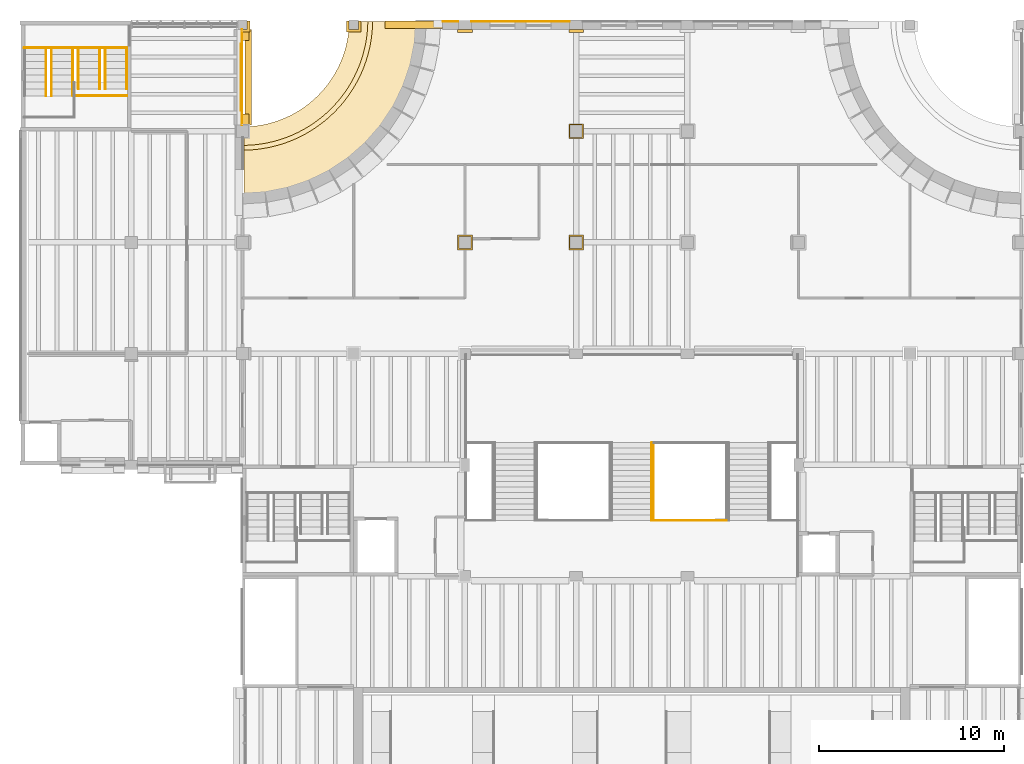
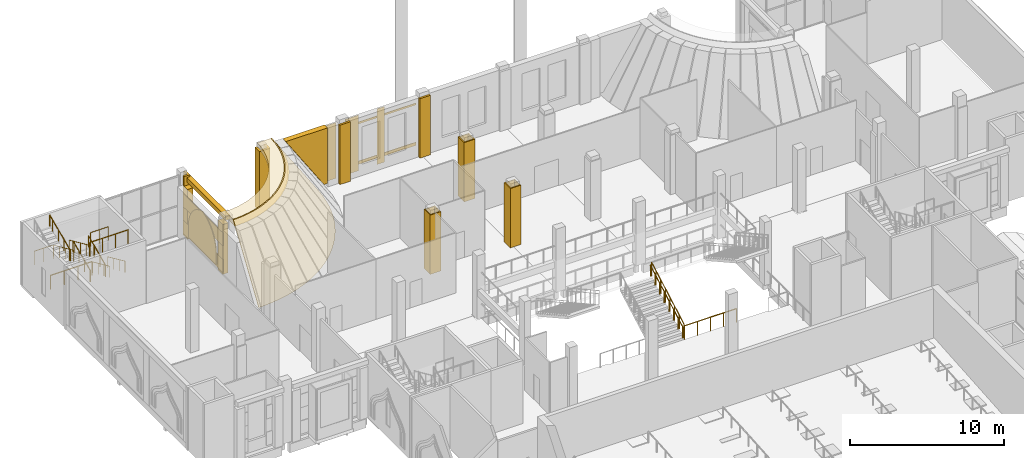
# One storey, part 76 of 80: 21 coverings, 14 railings.
"""IFC4 building model written with IfcOpenShell, lengths in metres."""

import ifcopenshell
import ifcopenshell.guid

model = None  # the IFC model being written
_history = None  # IfcOwnerHistory: only IFC2X3 demands one
_inside = {}  # id of a spatial element -> (the spatial element, [elements in it])
_under = {}  # id of a project, library or spatial element -> (it, [spatial elements below it])
_declared = {}  # id of a project -> (the project, [libraries it declares])
_typed = {}  # id of a type object -> (the type object, [elements of that type])
_made_of = {}  # id of a material, layer set ... -> (it, [elements and type objects made of it])


def new_model(schema):
    """Start an empty IFC model of exactly this schema.

    Asked for "IFC4X3", IfcOpenShell would pick the latest addendum, in which some entities
    have other attributes; the version numbers below select the first issue.
    IFC2X3 requires an IfcOwnerHistory on every rooted entity: one is made here for all.
    """
    global model, _history
    if schema == "IFC4X3":
        model = ifcopenshell.file(schema_version=(4, 3, 0, 0))
    else:
        model = ifcopenshell.file(schema=schema)
    _inside.clear()
    _under.clear()
    _declared.clear()
    _typed.clear()
    _made_of.clear()
    _history = None
    if model.schema == "IFC2X3":
        org = make("IfcOrganization", Name="unknown")
        user = make(
            "IfcPersonAndOrganization",
            ThePerson=make("IfcPerson", FamilyName="unknown"),
            TheOrganization=org,
        )
        app = make(
            "IfcApplication",
            ApplicationDeveloper=org,
            Version="unknown",
            ApplicationFullName="unknown",
            ApplicationIdentifier="unknown",
        )
        _history = make(
            "IfcOwnerHistory",
            OwningUser=user,
            OwningApplication=app,
            ChangeAction="ADDED",
            CreationDate=0,
        )
    return model


def make(cls, **values):
    """One entity of the class cls with the attributes given. An attribute that is None is left unset."""
    return model.create_entity(
        cls, **{name: value for name, value in values.items() if value is not None}
    )


def entity(cls, *values):
    """Any entity or typed value of the class cls, its attributes in the order of the schema. None: left unset."""
    e = model.create_entity(cls)
    for i, value in enumerate(values):
        if value is not None:
            e[i] = value
    return e


def rooted(cls, **values):
    """An entity with a GlobalId (a new one), such as an element, a storey or a relation."""
    return make(cls, GlobalId=ifcopenshell.guid.new(), OwnerHistory=_history, **values)


def si_unit(unit_type, name, prefix=None):
    """IfcSIUnit, for example si_unit("LENGTHUNIT", "METRE", prefix="MILLI")."""
    return make("IfcSIUnit", UnitType=unit_type, Prefix=prefix, Name=name)


def assignment(units):
    """IfcUnitAssignment: the units of a project."""
    return None if units is None else make("IfcUnitAssignment", Units=units)


def point(xyz):
    """IfcCartesianPoint."""
    return None if xyz is None else make("IfcCartesianPoint", Coordinates=xyz)


def direction(xyz):
    """IfcDirection."""
    return None if xyz is None else make("IfcDirection", DirectionRatios=xyz)


def frame(location, z_axis=None, x_axis=None):
    """IfcAxis2Placement3D, a coordinate frame: its origin and axes. An axis left out is left unset."""
    return make(
        "IfcAxis2Placement3D",
        Location=point(location),
        Axis=direction(z_axis),
        RefDirection=direction(x_axis),
    )


def frame_2d(location, x_axis=None):
    """IfcAxis2Placement2D, a coordinate frame in the plane: its origin and x axis."""
    return make(
        "IfcAxis2Placement2D", Location=point(location), RefDirection=direction(x_axis)
    )


def origin():
    """The frame at (0, 0, 0) with its axes left unset."""
    return frame((0.0, 0.0, 0.0))


def origin_2d():
    """The frame at (0, 0) in the plane with its x axis left unset."""
    return frame_2d((0.0, 0.0))


def place(relative_to, where):
    """IfcLocalPlacement: puts the frame where relative to a parent placement (None: the world)."""
    return make(
        "IfcLocalPlacement", PlacementRelTo=relative_to, RelativePlacement=where
    )


def context(
    kind, dimensions, precision=None, world=None, true_north=None, identifier=None
):
    """IfcGeometricRepresentationContext, for example the 3D "Model" context."""
    return make(
        "IfcGeometricRepresentationContext",
        ContextIdentifier=identifier,
        ContextType=kind,
        CoordinateSpaceDimension=dimensions,
        Precision=precision,
        WorldCoordinateSystem=world,
        TrueNorth=true_north,
    )


def subcontext(parent, identifier, kind, view, scale=None):
    """IfcGeometricRepresentationSubContext, for example "Body" below "Model"."""
    return make(
        "IfcGeometricRepresentationSubContext",
        ContextIdentifier=identifier,
        ContextType=kind,
        ParentContext=parent,
        TargetScale=scale,
        TargetView=view,
    )


def project(units=None, contexts=None):
    """IfcProject with its units and contexts."""
    return rooted(
        "IfcProject",
        Name="project",
        RepresentationContexts=contexts,
        UnitsInContext=assignment(units),
    )


def spatial(cls, under=None, at=None, **own):
    """A site, building, storey or space (cls), placed at a placement, below another one or the project."""
    s = rooted(cls, ObjectPlacement=at, **own)
    if under is not None:
        _under.setdefault(under.id(), (under, []))[1].append(s)
    return s


def polyline(points):
    """IfcPolyline through the points."""
    return make("IfcPolyline", Points=[point(p) for p in points])


def profile(cls, at=None, kind="AREA", **sizes):
    """A parametric profile (cls). Its sizes go by their IFC names, for example OverallWidth=200.0."""
    return make(cls, ProfileType=kind, Position=at, **sizes)


def rectangle(**sizes):
    """IfcRectangleProfileDef."""
    return profile("IfcRectangleProfileDef", **sizes)


def circle(**sizes):
    """IfcCircleProfileDef."""
    return profile("IfcCircleProfileDef", **sizes)


def outline(outer, holes=None, kind="AREA"):
    """IfcArbitraryClosedProfileDef: a profile drawn as a closed curve; with holes, ...WithVoids."""
    if holes is None:
        return make("IfcArbitraryClosedProfileDef", ProfileType=kind, OuterCurve=outer)
    return make(
        "IfcArbitraryProfileDefWithVoids",
        ProfileType=kind,
        OuterCurve=outer,
        InnerCurves=holes,
    )


def extrude(swept, where, along, depth):
    """IfcExtrudedAreaSolid: the profile swept, set in the frame where, extruded along a direction by depth."""
    return make(
        "IfcExtrudedAreaSolid",
        SweptArea=swept,
        Position=where,
        ExtrudedDirection=direction(along),
        Depth=depth,
    )


def shape(context_of_items, identifier, shape_type, items):
    """IfcShapeRepresentation: the items that make up one representation, for example the "Body"."""
    return make(
        "IfcShapeRepresentation",
        ContextOfItems=context_of_items,
        RepresentationIdentifier=identifier,
        RepresentationType=shape_type,
        Items=items,
    )


def material(Name=None, Category=None):
    """IfcMaterial."""
    return make("IfcMaterial", Name=Name, Category=Category)


def layer(
    of_material, thickness, ventilated=None, Name=None, Category=None, Priority=None
):
    """IfcMaterialLayer: one layer of a wall or slab, of a material (None: an air gap)."""
    return make(
        "IfcMaterialLayer",
        Material=of_material,
        LayerThickness=thickness,
        IsVentilated=ventilated,
        Name=Name,
        Category=Category,
        Priority=Priority,
    )


def layer_set(layers, Name=None):
    """IfcMaterialLayerSet."""
    return make("IfcMaterialLayerSet", MaterialLayers=layers, LayerSetName=Name)


def made_of(thing, what):
    """Note that an element or type object is made of a material, layer set ...; save() writes the relation."""
    if what is not None:
        _made_of.setdefault(what.id(), (what, []))[1].append(thing)
    return thing


def type_object(cls, material=None, **own):
    """A type object (cls), such as IfcWallType, which elements share."""
    return made_of(rooted(cls, **own), material)


def element(
    cls,
    number,
    at=None,
    inside=None,
    cuts=None,
    type_object=None,
    material=None,
    context=None,
    identifier="Body",
    shape_type=None,
    held_by="IfcProductDefinitionShape",
    body=None,
    shapes=None,
    **own,
):
    """One element of the class cls, such as IfcWall. Its Tag is "e" and its number.

    at: its placement. inside: the storey or other place that contains it. cuts: it is an
    opening in that element (IfcRelVoidsElement). A single representation is given by context,
    identifier, shape_type and body (its items); several are given by shapes. held_by: the class
    of the entity that holds the representations. save() writes the other relations.
    """
    e = rooted(cls, Tag="e%d" % number, ObjectPlacement=at, **own)
    if body is not None:
        shapes = [shape(context, identifier, shape_type, body)]
    if shapes is not None:
        e.Representation = make(held_by, Representations=shapes)
    if inside is not None:
        _inside.setdefault(inside.id(), (inside, []))[1].append(e)
    if cuts is not None:
        rooted(
            "IfcRelVoidsElement", RelatingBuildingElement=cuts, RelatedOpeningElement=e
        )
    if type_object is not None:
        _typed.setdefault(type_object.id(), (type_object, []))[1].append(e)
    return made_of(e, material)


def aggregate(whole, parts):
    """IfcRelAggregates: a whole, such as a stair, and the parts it consists of."""
    return rooted("IfcRelAggregates", RelatingObject=whole, RelatedObjects=parts)


def save(model, path):
    """Write the relations noted so far, then the file.

    IfcRelAggregates (storeys below a building ...), IfcRelContainedInSpatialStructure (elements
    in a storey), IfcRelDefinesByType, IfcRelAssociatesMaterial and IfcRelDeclares: one each for
    every whole, place, type object, material and project.
    """
    for whole, parts in _under.values():
        aggregate(whole, parts)
    for where, things in _inside.values():
        rooted(
            "IfcRelContainedInSpatialStructure",
            RelatedElements=things,
            RelatingStructure=where,
        )
    for kind, things in _typed.values():
        rooted("IfcRelDefinesByType", RelatedObjects=things, RelatingType=kind)
    for what, things in _made_of.values():
        rooted("IfcRelAssociatesMaterial", RelatedObjects=things, RelatingMaterial=what)
    for by, libraries in _declared.values():
        rooted("IfcRelDeclares", RelatingContext=by, RelatedDefinitions=libraries)
    model.write(path)


model = new_model("IFC4")

# Units and contexts
model_context = context("Model", 3, precision=1e-05, world=origin(), true_north=direction((0.0, 1.0)))
body_context = subcontext(model_context, "Body", "Model", "MODEL_VIEW")
ifc_project = project(units=[si_unit("LENGTHUNIT", "METRE"), si_unit("AREAUNIT", "SQUARE_METRE"), si_unit("VOLUMEUNIT", "CUBIC_METRE"), si_unit("PLANEANGLEUNIT", "RADIAN"), si_unit("MASSUNIT", "GRAM", prefix="KILO")], contexts=[model_context])

# Site, building, storey
site_placement = place(None, origin())
site = spatial("IfcSite", under=ifc_project, at=site_placement, CompositionType="ELEMENT")
building_placement = place(site_placement, origin())
building = spatial("IfcBuilding", under=site, at=building_placement, Name="Saffron Lane Theatres", CompositionType="ELEMENT")
storey_placement = place(building_placement, frame((0.0, 0.0, 7.0)))
storey = spatial("IfcBuildingStorey", under=building, at=storey_placement, Name="L01", CompositionType="ELEMENT", Elevation=7.0)

# Coverings
ifc_material_1 = material(Name="Masonry pale clay brick", Category="masonry")
ifc_layer_1 = layer(ifc_material_1, 0.050048828125)
ifc_layer_set_1 = layer_set([ifc_layer_1], Name="Masonry pale clay brick")
covering_type_1 = type_object("IfcCoveringType", Name="EX-ARCH PANEL BRICK 50", PredefinedType="CLADDING", material=ifc_layer_set_1)
covering_1_placement = place(storey_placement, frame((11.89990234375, 124.7119140625, 1.199951171875), z_axis=(-1.0, 0.0, 0.0), x_axis=(0.0, 0.0, -1.0)))
element("IfcCovering", 1, at=covering_1_placement, inside=storey, type_object=covering_type_1, Name="Blind arch panel 1", PredefinedType="CLADDING", context=body_context, shape_type="SweptSolid", body=[
    extrude(outline(polyline([(0.0, 0.0), (0.89990234375, 0.0), (0.89990234375, 3.599853515625), (0.0, 3.599853515625), (-0.31005859375, 3.578857421875), (-0.614990234375, 3.515869140625), (-0.907958984375, 3.412841796875), (-1.18505859375, 3.27197265625), (-1.441162109375, 3.093994140625), (-1.670166015625, 2.884033203125), (-1.869140625, 2.64501953125), (-2.033935546875, 2.380859375), (-2.1611328125, 2.097900390625), (-2.25, 1.7998046875), (-2.1611328125, 1.501953125), (-2.033935546875, 1.218017578125), (-1.869140625, 0.953857421875), (-1.670166015625, 0.71484375), (-1.441162109375, 0.5048828125), (-1.18505859375, 0.327880859375), (-0.907958984375, 0.18603515625), (-0.614990234375, 0.0830078125), (-0.31005859375, 0.02099609375), (0.0, 0.0)])), origin(), (0.0, 0.0, -1.0), 0.050048828125),
])
ifc_material_2 = material(Name="Masonry pale clay brick", Category="masonry")
ifc_layer_2 = layer(ifc_material_2, 0.39990234375)
ifc_layer_set_2 = layer_set([ifc_layer_2], Name="Masonry pale clay brick")
covering_type_2 = type_object("IfcCoveringType", Name="EX-END INFILL CLADDING BRICK 400", PredefinedType="CLADDING", material=ifc_layer_set_2)
covering_2_placement = place(storey_placement, frame((22.7978515625, 125.93994140625, 4.64990234375), z_axis=(0.0, 1.0, 0.0), x_axis=(0.0, 0.0, -1.0)))
element("IfcCovering", 2, at=covering_2_placement, inside=storey, type_object=covering_type_2, Name="Wall end infill L01 07", PredefinedType="CLADDING", context=body_context, shape_type="SweptSolid", body=[
    extrude(outline(polyline([(0.0, 0.0), (4.39990234375, 0.0), (4.39990234375, 0.253662109375), (0.0, 3.115966796875), (0.0, 0.0)])), origin(), (0.0, 0.0, -1.0), 0.39990234375),
])
ifc_material_3 = material(Name="Face brick cladding, pale buff", Category="masonry")
ifc_layer_3 = layer(ifc_material_3, 0.0400390625)
ifc_layer_set_3 = layer_set([ifc_layer_3], Name="Face brick cladding, pale buff")
covering_type_3 = type_object("IfcCoveringType", Name="EX-FACE BRICK CLADDING PALE BUFF 40", PredefinedType="CLADDING", material=ifc_layer_set_3)
for number, where, z_axis, x_axis, name in (
    (3, (11.969970703125, 122.912109375, 0.14990234375), (0.0, 0.0, 1.0), (0.0, -1.0, 0.0), "Cladding course L01"),
    (4, (11.969970703125, 122.912109375, 2.25), (0.0, 0.0, 1.0), (0.0, -1.0, 0.0), "Cladding course L01"),
):
    element("IfcCovering", number, at=place(storey_placement, frame(where, z_axis=z_axis, x_axis=x_axis)), inside=storey, type_object=covering_type_3, Name=name, PredefinedType="CLADDING", context=body_context, shape_type="SweptSolid", body=[
        extrude(rectangle(XDim=5.175048828125, YDim=0.0400390625, at=origin_2d()), origin(), (0.0, 0.0, 1.0), 1.050048828125),
    ])
covering_3_placement = place(storey_placement, frame((23.22412109375, 125.919921875, 0.150146484375), z_axis=(0.0, 0.0, 1.0), x_axis=(1.0, 0.0, 0.0)))
element("IfcCovering", 5, at=covering_3_placement, inside=storey, type_object=covering_type_3, Name="Cladding course L01", PredefinedType="CLADDING", context=body_context, shape_type="SweptSolid", body=[
    extrude(rectangle(XDim=0.85205078125, YDim=0.0400390625, at=origin_2d()), origin(), (0.0, 0.0, 1.0), 4.39990234375),
])
covering_4_placement = place(storey_placement, frame((24.840087890625, 125.919921875, 0.150146484375), z_axis=(0.0, 0.0, 1.0), x_axis=(1.0, 0.0, 0.0)))
element("IfcCovering", 6, at=covering_4_placement, inside=storey, type_object=covering_type_3, Name="Cladding course L01", PredefinedType="CLADDING", context=body_context, shape_type="SweptSolid", body=[
    extrude(rectangle(XDim=0.97998046875, YDim=0.0400390625, at=origin_2d()), origin(), (0.0, 0.0, 1.0), 4.39990234375),
])
covering_5_placement = place(storey_placement, frame((27.0, 125.919921875, 0.150146484375), z_axis=(0.0, 0.0, 1.0), x_axis=(1.0, 0.0, 0.0)))
element("IfcCovering", 7, at=covering_5_placement, inside=storey, type_object=covering_type_3, Name="Cladding course L01", PredefinedType="CLADDING", context=body_context, shape_type="SweptSolid", body=[
    extrude(rectangle(XDim=0.56005859375, YDim=0.0400390625, at=origin_2d()), origin(), (0.0, 0.0, 1.0), 4.39990234375),
])
ifc_material_4 = material(Name="Masonry sandstone", Category="masonry")
ifc_layer_4 = layer(ifc_material_4, 0.0400390625)
ifc_layer_set_4 = layer_set([ifc_layer_4], Name="Masonry sandstone")
covering_type_4 = type_object("IfcCoveringType", Name="EX-HEAD COURSE SANDSTONE 150", PredefinedType="CLADDING", material=ifc_layer_set_4)
covering_6_placement = place(storey_placement, frame((27.0, 125.919921875, 3.85009765625), z_axis=(0.0, 0.0, 1.0), x_axis=(1.0, 0.0, 0.0)))
element("IfcCovering", 8, at=covering_6_placement, inside=storey, type_object=covering_type_4, Name="Facade head course L01", PredefinedType="CLADDING", context=body_context, shape_type="SweptSolid", body=[
    extrude(rectangle(XDim=5.2998046875, YDim=0.0400390625, at=origin_2d()), origin(), (0.0, 0.0, 1.0), 0.14990234375),
])
ifc_material_5 = material(Name="Face brick cladding, pale buff", Category="masonry")
ifc_layer_5 = layer(ifc_material_5, 0.10009765625)
ifc_layer_set_5 = layer_set([ifc_layer_5], Name="Face brick cladding, pale buff")
covering_type_5 = type_object("IfcCoveringType", Name="EX-PIER CASING FACE BRICK PALE BUFF 800", PredefinedType="CLADDING", material=ifc_layer_set_5)
covering_7_placement = place(storey_placement, origin())
element("IfcCovering", 9, at=covering_7_placement, inside=storey, type_object=covering_type_5, Name="Pier casing L01 24", PredefinedType="CLADDING", context=body_context, shape_type="SweptSolid", body=[
    extrude(outline(polyline([(24.39990234375, 114.39990234375), (23.60009765625, 114.39990234375), (23.60009765625, 113.60009765625), (24.39990234375, 113.60009765625), (24.39990234375, 114.39990234375)]), holes=[polyline([(23.675048828125, 114.324951171875), (24.324951171875, 114.324951171875), (24.324951171875, 113.675048828125), (23.675048828125, 113.675048828125), (23.675048828125, 114.324951171875)])]), origin(), (0.0, 0.0, 1.0), 4.699951171875),
])
covering_8_placement = place(storey_placement, origin())
element("IfcCovering", 10, at=covering_8_placement, inside=storey, type_object=covering_type_5, Name="Pier casing L01 25", PredefinedType="CLADDING", context=body_context, shape_type="SweptSolid", body=[
    extrude(outline(polyline([(30.39990234375, 114.39990234375), (29.60009765625, 114.39990234375), (29.60009765625, 113.60009765625), (30.39990234375, 113.60009765625), (30.39990234375, 114.39990234375)]), holes=[polyline([(29.675048828125, 114.324951171875), (30.324951171875, 114.324951171875), (30.324951171875, 113.675048828125), (29.675048828125, 113.675048828125), (29.675048828125, 114.324951171875)])]), origin(), (0.0, 0.0, 1.0), 4.699951171875),
])
covering_9_placement = place(storey_placement, origin())
element("IfcCovering", 11, at=covering_9_placement, inside=storey, type_object=covering_type_5, Name="Pier casing L01 31", PredefinedType="CLADDING", context=body_context, shape_type="SweptSolid", body=[
    extrude(outline(polyline([(30.39990234375, 120.39990234375), (29.60009765625, 120.39990234375), (29.60009765625, 119.60009765625), (30.39990234375, 119.60009765625), (30.39990234375, 120.39990234375)]), holes=[polyline([(29.675048828125, 120.324951171875), (30.324951171875, 120.324951171875), (30.324951171875, 119.675048828125), (29.675048828125, 119.675048828125), (29.675048828125, 120.324951171875)])]), origin(), (0.0, 0.0, 1.0), 4.699951171875),
])
covering_10_placement = place(storey_placement, origin())
element("IfcCovering", 12, at=covering_10_placement, inside=storey, type_object=covering_type_5, Name="Pier casing L01 35", PredefinedType="CLADDING", context=body_context, shape_type="SweptSolid", body=[
    extrude(outline(polyline([(12.25, 125.49951171875), (11.9541015625, 125.49951171875), (11.9541015625, 125.349609375), (12.39990234375, 125.349609375), (12.39990234375, 125.93994140625), (12.25, 125.93994140625), (12.25, 125.49951171875)])), origin(), (0.0, 0.0, 1.0), 4.699951171875),
])
covering_11_placement = place(storey_placement, origin())
element("IfcCovering", 13, at=covering_11_placement, inside=storey, type_object=covering_type_5, Name="Pier casing L01 36", PredefinedType="CLADDING", context=body_context, shape_type="SweptSolid", body=[
    extrude(outline(polyline([(17.60009765625, 125.93994140625), (17.60009765625, 125.349609375), (18.39990234375, 125.349609375), (18.39990234375, 125.93994140625), (18.25, 125.93994140625), (18.25, 125.49951171875), (17.75, 125.49951171875), (17.75, 125.93994140625), (17.60009765625, 125.93994140625)])), origin(), (0.0, 0.0, 1.0), 4.699951171875),
])
covering_12_placement = place(storey_placement, origin())
element("IfcCovering", 14, at=covering_12_placement, inside=storey, type_object=covering_type_5, Name="Pier casing L01 37", PredefinedType="CLADDING", context=body_context, shape_type="SweptSolid", body=[
    extrude(outline(polyline([(23.60009765625, 125.495849609375), (23.60009765625, 125.324462890625), (24.39990234375, 125.324462890625), (24.39990234375, 125.495849609375), (24.35009765625, 125.495849609375), (24.35009765625, 125.495849609375), (24.35009765625, 125.474609375), (23.64990234375, 125.474609375), (23.64990234375, 125.495849609375), (23.64990234375, 125.495849609375), (23.60009765625, 125.495849609375)])), origin(), (0.0, 0.0, 1.0), 4.699951171875),
])
covering_13_placement = place(storey_placement, origin())
element("IfcCovering", 15, at=covering_13_placement, inside=storey, type_object=covering_type_5, Name="Pier casing L01 38", PredefinedType="CLADDING", context=body_context, shape_type="SweptSolid", body=[
    extrude(outline(polyline([(29.60009765625, 125.495849609375), (29.60009765625, 125.324462890625), (30.39990234375, 125.324462890625), (30.39990234375, 125.495849609375), (30.35009765625, 125.495849609375), (30.35009765625, 125.495849609375), (30.35009765625, 125.474609375), (29.64990234375, 125.474609375), (29.64990234375, 125.495849609375), (29.64990234375, 125.495849609375), (29.60009765625, 125.495849609375)])), origin(), (0.0, 0.0, 1.0), 4.699951171875),
])
ifc_material_6 = material(Name="Masonry sandstone", Category="masonry")
ifc_layer_6 = layer(ifc_material_6, 0.39990234375)
ifc_layer_set_6 = layer_set([ifc_layer_6], Name="Masonry sandstone")
covering_type_6 = type_object("IfcCoveringType", Name="EX-PILASTER PIER SANDSTONE 400", PredefinedType="CLADDING", material=ifc_layer_set_6)
for number, where, z_axis, x_axis, name in (
    (16, (12.14990234375, 125.199951171875, 0.0), (0.0, 0.0, 1.0), (0.0, -1.0, 0.0), "Pilaster pier L01"),
    (17, (12.14990234375, 120.625, 0.0), (0.0, 0.0, 1.0), (0.0, -1.0, 0.0), "Pilaster pier L01"),
):
    element("IfcCovering", number, at=place(storey_placement, frame(where, z_axis=z_axis, x_axis=x_axis)), inside=storey, type_object=covering_type_6, Name=name, PredefinedType="CLADDING", context=body_context, shape_type="SweptSolid", body=[
        extrude(rectangle(XDim=0.60009765625, YDim=0.39990234375, at=origin_2d()), origin(), (0.0, 0.0, 1.0), 3.949951171875),
    ])
ifc_material_7 = material(Name="Face brick cladding, pale buff", Category="masonry")
ifc_layer_7 = layer(ifc_material_7, 0.080078125)
ifc_layer_set_7 = layer_set([ifc_layer_7], Name="Face brick cladding, pale buff")
covering_type_7 = type_object("IfcCoveringType", Name="EX-SCOOP SKIN FACE BRICK PALE BUFF 80", PredefinedType="CLADDING", material=ifc_layer_set_7)
covering_14_placement = place(storey_placement, frame((12.0, 125.99951171875, -7.0), z_axis=(0.0, 0.0, 1.0), x_axis=(0.010352, -0.999946, 0.0)))
cartesian_point_1 = entity("IfcCartesianPoint", [10.0078125, 7.0])
cartesian_point_2 = entity("IfcCartesianPoint", [0.0, 0.0, 0.0])
element("IfcCovering", 18, at=covering_14_placement, inside=storey, type_object=covering_type_7, Name="Scoop skin NW L01", PredefinedType="CLADDING", context=body_context, shape_type="SweptSolid", body=[
    entity("IfcRevolvedAreaSolid", entity("IfcArbitraryClosedProfileDef", "AREA", None, entity("IfcPolyline", [cartesian_point_1, entity("IfcCartesianPoint", [10.087890625, 7.0]), entity("IfcCartesianPoint", [6.84228515625, 12.0]), entity("IfcCartesianPoint", [6.76220703125, 12.0]), cartesian_point_1])), entity("IfcAxis2Placement3D", cartesian_point_2, entity("IfcDirection", [0.0, -1.0, 0.0]), entity("IfcDirection", [1.0, 0.0, 0.0])), entity("IfcAxis1Placement", cartesian_point_2, entity("IfcDirection", [0.0, 1.0, 0.0])), 1.550093),
])
ifc_material_8 = material(Name="Masonry sandstone", Category="masonry")
ifc_layer_8 = layer(ifc_material_8, 0.39990234375)
ifc_layer_set_8 = layer_set([ifc_layer_8], Name="Masonry sandstone")
covering_type_8 = type_object("IfcCoveringType", Name="EX-SCOOP STEP SANDSTONE 700", PredefinedType="CLADDING", material=ifc_layer_set_8)
covering_15_placement = place(storey_placement, frame((12.0, 125.99951171875, -7.0), z_axis=(0.0, 0.0, 1.0), x_axis=(0.012148, -0.999926, 0.0)))
cartesian_point_3 = entity("IfcCartesianPoint", [5.76220703125, 11.60009765625])
cartesian_point_4 = entity("IfcCartesianPoint", [0.0, 0.0, 0.0])
element("IfcCovering", 19, at=covering_15_placement, inside=storey, type_object=covering_type_8, Name="Floor step NW L02", PredefinedType="CLADDING", context=body_context, shape_type="SweptSolid", body=[
    entity("IfcRevolvedAreaSolid", entity("IfcArbitraryClosedProfileDef", "AREA", None, entity("IfcPolyline", [cartesian_point_3, entity("IfcCartesianPoint", [7.021728515625, 11.60009765625]), entity("IfcCartesianPoint", [6.76220703125, 12.0]), entity("IfcCartesianPoint", [5.76220703125, 12.0]), cartesian_point_3])), entity("IfcAxis2Placement3D", cartesian_point_4, entity("IfcDirection", [0.0, -1.0, 0.0]), entity("IfcDirection", [1.0, 0.0, 0.0])), entity("IfcAxis1Placement", cartesian_point_4, entity("IfcDirection", [0.0, 1.0, 0.0])), 1.546499),
])
ifc_material_9 = material(Name="Masonry sandstone", Category="masonry")
ifc_layer_9 = layer(ifc_material_9, 0.0400390625)
ifc_layer_set_9 = layer_set([ifc_layer_9], Name="Masonry sandstone")
covering_type_9 = type_object("IfcCoveringType", Name="EX-SILL COURSE SANDSTONE 250", PredefinedType="CLADDING", material=ifc_layer_set_9)
covering_16_placement = place(storey_placement, frame((27.0, 125.919921875, 0.64990234375), z_axis=(0.0, 0.0, 1.0), x_axis=(1.0, 0.0, 0.0)))
element("IfcCovering", 20, at=covering_16_placement, inside=storey, type_object=covering_type_9, Name="Facade sill course L01", PredefinedType="CLADDING", context=body_context, shape_type="SweptSolid", body=[
    extrude(rectangle(XDim=5.2998046875, YDim=0.0400390625, at=origin_2d()), origin(), (0.0, 0.0, 1.0), 0.25),
])
ifc_material_10 = material(Name="Masonry sandstone", Category="masonry")
ifc_layer_10 = layer(ifc_material_10, 0.300048828125)
ifc_layer_set_10 = layer_set([ifc_layer_10], Name="Masonry sandstone")
covering_type_10 = type_object("IfcCoveringType", Name="EX-STRING COURSE SANDSTONE 350", PredefinedType="CLADDING", material=ifc_layer_set_10)
covering_17_placement = place(storey_placement, frame((12.324951171875, 122.912109375, 4.199951171875), z_axis=(0.0, 0.0, 1.0), x_axis=(0.0, -1.0, 0.0)))
element("IfcCovering", 21, at=covering_17_placement, inside=storey, type_object=covering_type_10, Name="String course L01", PredefinedType="CLADDING", context=body_context, shape_type="SweptSolid", body=[
    extrude(rectangle(XDim=5.174072265625, YDim=0.35009765625, at=origin_2d()), origin(), (0.0, 0.0, 1.0), 0.35009765625),
])

# Railings
ifc_material_11 = material(Name="Steel Grade 350", Category="steel")
railing_type_1 = type_object("IfcRailingType", Name="VC-GUARD 1100", PredefinedType="GUARDRAIL", material=ifc_material_11)
railing_1_placement = place(storey_placement, frame((5.77001953125, 121.909912109375, 3.666748046875)))
element("IfcRailing", 22, at=railing_1_placement, inside=storey, type_object=railing_type_1, Name="West Wing Street Stair landing guard 2N2s", PredefinedType="GUARDRAIL", context=body_context, shape_type="SweptSolid", body=[
    extrude(circle(Radius=0.02392578125, at=origin_2d()), frame((0.0, 0.0, 1.076171875), z_axis=(-1.0, 0.0, 0.0), x_axis=(0.0, -1.0, 0.0)), (0.0, 0.0, 1.0), 2.8701171875),
    extrude(circle(Radius=0.02099609375, at=origin_2d()), origin(), (0.0, 0.0, 1.0), 1.052001953125),
    extrude(circle(Radius=0.02099609375, at=origin_2d()), frame((-0.956787109375, 0.0, 0.0)), (0.0, 0.0, 1.0), 1.052001953125),
    extrude(circle(Radius=0.02099609375, at=origin_2d()), frame((-1.913330078125, 0.0, 0.0)), (0.0, 0.0, 1.0), 1.052001953125),
    extrude(circle(Radius=0.02099609375, at=origin_2d()), frame((-2.8701171875, 0.0, 0.0)), (0.0, 0.0, 1.0), 1.052001953125),
])
railing_2_placement = place(storey_placement, frame((5.77001953125, 124.5, 2.333251953125)))
element("IfcRailing", 23, at=railing_2_placement, inside=storey, type_object=railing_type_1, Name="West Wing Street Stair landing guard 2S2w", PredefinedType="GUARDRAIL", context=body_context, shape_type="SweptSolid", body=[
    extrude(circle(Radius=0.02392578125, at=origin_2d()), frame((0.0, 0.0, 1.076171875), z_axis=(-1.0, 0.0, 0.0), x_axis=(0.0, -1.0, 0.0)), (0.0, 0.0, 1.0), 1.320068359375),
    extrude(circle(Radius=0.02099609375, at=origin_2d()), origin(), (0.0, 0.0, 1.0), 1.052001953125),
    extrude(circle(Radius=0.02099609375, at=origin_2d()), frame((-0.66015625, 0.0, 0.0)), (0.0, 0.0, 1.0), 1.052001953125),
    extrude(circle(Radius=0.02099609375, at=origin_2d()), frame((-1.320068359375, 0.0, 0.0)), (0.0, 0.0, 1.0), 1.052001953125),
])
railing_3_placement = place(storey_placement, frame((1.64990234375, 124.5, 2.333251953125)))
element("IfcRailing", 24, at=railing_3_placement, inside=storey, type_object=railing_type_1, Name="West Wing Street Stair landing guard 2S2e", PredefinedType="GUARDRAIL", context=body_context, shape_type="SweptSolid", body=[
    extrude(circle(Radius=0.02392578125, at=origin_2d()), frame((0.0, 0.0, 1.076171875), z_axis=(-1.0, 0.0, 0.0), x_axis=(0.0, -1.0, 0.0)), (0.0, 0.0, 1.0), 1.419921875),
    extrude(circle(Radius=0.02099609375, at=origin_2d()), origin(), (0.0, 0.0, 1.0), 1.052001953125),
    extrude(circle(Radius=0.02099609375, at=origin_2d()), frame((-0.7099609375, 0.0, 0.0)), (0.0, 0.0, 1.0), 1.052001953125),
    extrude(circle(Radius=0.02099609375, at=origin_2d()), frame((-1.419921875, 0.0, 0.0)), (0.0, 0.0, 1.0), 1.052001953125),
])
railing_4_placement = place(storey_placement, frame((4.550048828125, 124.5, 0.0)))
element("IfcRailing", 25, at=railing_4_placement, inside=storey, type_object=railing_type_1, Name="West Wing Street Stair guard L01", PredefinedType="GUARDRAIL", context=body_context, shape_type="SweptSolid", body=[
    extrude(circle(Radius=0.02392578125, at=origin_2d()), frame((0.0, 0.0, 1.076171875), z_axis=(-1.0, 0.0, 0.0), x_axis=(0.0, -1.0, 0.0)), (0.0, 0.0, 1.0), 3.10009765625),
    extrude(circle(Radius=0.02099609375, at=origin_2d()), origin(), (0.0, 0.0, 1.0), 1.052001953125),
    extrude(circle(Radius=0.02099609375, at=origin_2d()), frame((-1.033447265625, 0.0, 0.0)), (0.0, 0.0, 1.0), 1.052001953125),
    extrude(circle(Radius=0.02099609375, at=origin_2d()), frame((-2.066650390625, 0.0, 0.0)), (0.0, 0.0, 1.0), 1.052001953125),
    extrude(circle(Radius=0.02099609375, at=origin_2d()), frame((-3.10009765625, 0.0, 0.0)), (0.0, 0.0, 1.0), 1.052001953125),
])
railing_5_placement = place(storey_placement, frame((34.169921875, 99.0, 0.166748046875)))
element("IfcRailing", 26, at=railing_5_placement, inside=storey, type_object=railing_type_1, Name="Grand Stair flight guard 2.1b", PredefinedType="GUARDRAIL", context=body_context, shape_type="SweptSolid", body=[
    extrude(circle(Radius=0.02392578125, at=origin_2d()), frame((0.0, 0.0, 1.076171875), z_axis=(0.0, 0.874241147926, 0.485491931212), x_axis=(-1.0, 0.0, 0.0)), (0.0, 0.0, 1.0), 0.6865234375),
    extrude(circle(Radius=0.02392578125, at=origin_2d()), frame((0.0, 0.60009765625, 1.4091796875), z_axis=(0.0, 0.874157276122, 0.485642931179), x_axis=(-1.0, 0.0, 0.0)), (0.0, 0.0, 1.0), 0.686279296875),
    extrude(circle(Radius=0.02392578125, at=origin_2d()), frame((0.0, 1.199951171875, 1.74267578125), z_axis=(0.0, 0.874090171491, 0.485763699861), x_axis=(-1.0, 0.0, 0.0)), (0.0, 0.0, 1.0), 0.6865234375),
    extrude(circle(Radius=0.02392578125, at=origin_2d()), frame((0.0, 1.800048828125, 2.076171875), z_axis=(0.0, 0.874157276122, 0.485642931179), x_axis=(-1.0, 0.0, 0.0)), (0.0, 0.0, 1.0), 0.686279296875),
    extrude(circle(Radius=0.02392578125, at=origin_2d()), frame((0.0, 2.39990234375, 2.4091796875), z_axis=(0.0, 0.874241147926, 0.485491931212), x_axis=(-1.0, 0.0, 0.0)), (0.0, 0.0, 1.0), 0.6865234375),
    extrude(circle(Radius=0.02392578125, at=origin_2d()), frame((0.0, 3.0, 2.74267578125), z_axis=(0.0, 0.874090171491, 0.485763699861), x_axis=(-1.0, 0.0, 0.0)), (0.0, 0.0, 1.0), 0.6865234375),
    extrude(circle(Radius=0.02392578125, at=origin_2d()), frame((0.0, 3.60009765625, 3.076171875), z_axis=(0.0, 0.874157276122, 0.485642931179), x_axis=(-1.0, 0.0, 0.0)), (0.0, 0.0, 1.0), 0.686279296875),
    extrude(circle(Radius=0.02099609375, at=origin_2d()), origin(), (0.0, 0.0, 1.0), 1.052001953125),
    extrude(circle(Radius=0.02099609375, at=origin_2d()), frame((0.0, 0.60009765625, 0.333251953125)), (0.0, 0.0, 1.0), 1.052001953125),
    extrude(circle(Radius=0.02099609375, at=origin_2d()), frame((0.0, 1.199951171875, 0.66650390625)), (0.0, 0.0, 1.0), 1.052001953125),
    extrude(circle(Radius=0.02099609375, at=origin_2d()), frame((0.0, 1.800048828125, 1.0)), (0.0, 0.0, 1.0), 1.052001953125),
    extrude(circle(Radius=0.02099609375, at=origin_2d()), frame((0.0, 2.39990234375, 1.333251953125)), (0.0, 0.0, 1.0), 1.052001953125),
    extrude(circle(Radius=0.02099609375, at=origin_2d()), frame((0.0, 3.0, 1.66650390625)), (0.0, 0.0, 1.0), 1.052001953125),
    extrude(circle(Radius=0.02099609375, at=origin_2d()), frame((0.0, 3.60009765625, 2.0)), (0.0, 0.0, 1.0), 1.052001953125),
    extrude(circle(Radius=0.02099609375, at=origin_2d()), frame((0.0, 4.199951171875, 2.333251953125)), (0.0, 0.0, 1.0), 1.052001953125),
])
railing_6_placement = place(storey_placement, frame((34.199951171875, 99.0, 0.0)))
element("IfcRailing", 27, at=railing_6_placement, inside=storey, type_object=railing_type_1, Name="Grand Stair landing guard 2s-L01-3", PredefinedType="GUARDRAIL", context=body_context, shape_type="SweptSolid", body=[
    extrude(circle(Radius=0.02392578125, at=origin_2d()), frame((0.0, 0.0, 1.076171875), z_axis=(1.0, 0.0, 0.0), x_axis=(0.0, 1.0, 0.0)), (0.0, 0.0, 1.0), 3.900146484375),
    extrude(circle(Radius=0.02099609375, at=origin_2d()), origin(), (0.0, 0.0, 1.0), 1.052001953125),
    extrude(circle(Radius=0.02099609375, at=origin_2d()), frame((0.97509765625, 0.0, 0.0)), (0.0, 0.0, 1.0), 1.052001953125),
    extrude(circle(Radius=0.02099609375, at=origin_2d()), frame((1.9501953125, 0.0, 0.0)), (0.0, 0.0, 1.0), 1.052001953125),
    extrude(circle(Radius=0.02099609375, at=origin_2d()), frame((2.925048828125, 0.0, 0.0)), (0.0, 0.0, 1.0), 1.052001953125),
    extrude(circle(Radius=0.02099609375, at=origin_2d()), frame((3.900146484375, 0.0, 0.0)), (0.0, 0.0, 1.0), 1.052001953125),
])
ifc_material_12 = material(Name="Steel Grade 350", Category="steel")
railing_type_2 = type_object("IfcRailingType", Name="VC-HANDRAIL 900", PredefinedType="HANDRAIL", material=ifc_material_12)
for number, where, name in (
    (28, (5.75, 124.5, 0.166748046875), "West Wing Street Stair handrail 2.1a"),
    (29, (4.60009765625, 124.5, 0.166748046875), "West Wing Street Stair handrail 2.1b"),
):
    element("IfcRailing", number, at=place(storey_placement, frame(where)), inside=storey, type_object=railing_type_2, Name=name, PredefinedType="HANDRAIL", context=body_context, shape_type="SweptSolid", body=[
        extrude(circle(Radius=0.02392578125, at=origin_2d()), frame((0.0, 0.0, 0.8759765625), z_axis=(0.0, -0.911803263409, 0.410627335715), x_axis=(1.0, 0.0, 0.0)), (0.0, 0.0, 1.0), 0.8115234375),
        extrude(circle(Radius=0.02392578125, at=origin_2d()), frame((0.0, -0.739990234375, 1.208984375), z_axis=(0.0, -0.911803263409, 0.410627335715), x_axis=(1.0, 0.0, 0.0)), (0.0, 0.0, 1.0), 0.8115234375),
        extrude(circle(Radius=0.02392578125, at=origin_2d()), frame((0.0, -1.47998046875, 1.54248046875), z_axis=(0.0, -0.911690610408, 0.410877391559), x_axis=(1.0, 0.0, 0.0)), (0.0, 0.0, 1.0), 0.811767578125),
        extrude(circle(Radius=0.02099609375, at=origin_2d()), origin(), (0.0, 0.0, 1.0), 0.851806640625),
        extrude(circle(Radius=0.02099609375, at=origin_2d()), frame((0.0, -0.739990234375, 0.333251953125)), (0.0, 0.0, 1.0), 0.851806640625),
        extrude(circle(Radius=0.02099609375, at=origin_2d()), frame((0.0, -1.47998046875, 0.66650390625)), (0.0, 0.0, 1.0), 0.851806640625),
        extrude(circle(Radius=0.02099609375, at=origin_2d()), frame((0.0, -2.219970703125, 1.0)), (0.0, 0.0, 1.0), 0.851806640625),
    ])
for number, where, name in (
    (30, (4.300048828125, 122.280029296875, 1.333251953125), "West Wing Street Stair handrail 2.2a"),
    (31, (3.14990234375, 122.280029296875, 1.333251953125), "West Wing Street Stair handrail 2.2b"),
):
    element("IfcRailing", number, at=place(storey_placement, frame(where)), inside=storey, type_object=railing_type_2, Name=name, PredefinedType="HANDRAIL", context=body_context, shape_type="SweptSolid", body=[
        extrude(circle(Radius=0.02392578125, at=origin_2d()), frame((0.0, 0.0, 0.8759765625), z_axis=(0.0, 0.911690610408, 0.410877391559), x_axis=(-1.0, 0.0, 0.0)), (0.0, 0.0, 1.0), 0.811767578125),
        extrude(circle(Radius=0.02392578125, at=origin_2d()), frame((0.0, 0.739990234375, 1.20947265625), z_axis=(0.0, 0.911803263409, 0.410627335715), x_axis=(-1.0, 0.0, 0.0)), (0.0, 0.0, 1.0), 0.8115234375),
        extrude(circle(Radius=0.02392578125, at=origin_2d()), frame((0.0, 1.47998046875, 1.54248046875), z_axis=(0.0, 0.911803263409, 0.410627335715), x_axis=(-1.0, 0.0, 0.0)), (0.0, 0.0, 1.0), 0.8115234375),
        extrude(circle(Radius=0.02099609375, at=origin_2d()), origin(), (0.0, 0.0, 1.0), 0.851806640625),
        extrude(circle(Radius=0.02099609375, at=origin_2d()), frame((0.0, 0.739990234375, 0.33349609375)), (0.0, 0.0, 1.0), 0.851806640625),
        extrude(circle(Radius=0.02099609375, at=origin_2d()), frame((0.0, 1.47998046875, 0.666748046875)), (0.0, 0.0, 1.0), 0.851806640625),
        extrude(circle(Radius=0.02099609375, at=origin_2d()), frame((0.0, 2.219970703125, 1.0)), (0.0, 0.0, 1.0), 0.851806640625),
    ])
for number, where, name in (
    (32, (2.85009765625, 124.5, 2.5), "West Wing Street Stair handrail 2.3a"),
    (33, (1.699951171875, 124.5, 2.5), "West Wing Street Stair handrail 2.3b"),
):
    element("IfcRailing", number, at=place(storey_placement, frame(where)), inside=storey, type_object=railing_type_2, Name=name, PredefinedType="HANDRAIL", context=body_context, shape_type="SweptSolid", body=[
        extrude(circle(Radius=0.02392578125, at=origin_2d()), frame((0.0, 0.0, 0.8759765625), z_axis=(0.0, -0.911803263409, 0.410627335715), x_axis=(1.0, 0.0, 0.0)), (0.0, 0.0, 1.0), 0.8115234375),
        extrude(circle(Radius=0.02392578125, at=origin_2d()), frame((0.0, -0.739990234375, 1.208984375), z_axis=(0.0, -0.911690610408, 0.410877391559), x_axis=(1.0, 0.0, 0.0)), (0.0, 0.0, 1.0), 0.811767578125),
        extrude(circle(Radius=0.02392578125, at=origin_2d()), frame((0.0, -1.47998046875, 1.54248046875), z_axis=(0.0, -0.911803263409, 0.410627335715), x_axis=(1.0, 0.0, 0.0)), (0.0, 0.0, 1.0), 0.8115234375),
        extrude(circle(Radius=0.02392578125, at=origin_2d()), frame((0.0, -2.219970703125, 1.8759765625), z_axis=(0.0, -0.911741368748, 0.410764745947), x_axis=(1.0, 0.0, 0.0)), (0.0, 0.0, 1.0), 0.406005859375),
        extrude(circle(Radius=0.02099609375, at=origin_2d()), origin(), (0.0, 0.0, 1.0), 0.851806640625),
        extrude(circle(Radius=0.02099609375, at=origin_2d()), frame((0.0, -0.739990234375, 0.333251953125)), (0.0, 0.0, 1.0), 0.851806640625),
        extrude(circle(Radius=0.02099609375, at=origin_2d()), frame((0.0, -1.47998046875, 0.666748046875)), (0.0, 0.0, 1.0), 0.851806640625),
        extrude(circle(Radius=0.02099609375, at=origin_2d()), frame((0.0, -2.219970703125, 1.0)), (0.0, 0.0, 1.0), 0.851806640625),
        extrude(circle(Radius=0.02099609375, at=origin_2d()), frame((0.0, -2.590087890625, 1.166748046875)), (0.0, 0.0, 1.0), 0.851806640625),
    ])
railing_7_placement = place(storey_placement, frame((1.39990234375, 121.909912109375, 3.833251953125)))
element("IfcRailing", 34, at=railing_7_placement, inside=storey, type_object=railing_type_2, Name="West Wing Street Stair handrail 2.4a", PredefinedType="HANDRAIL", context=body_context, shape_type="SweptSolid", body=[
    extrude(circle(Radius=0.02392578125, at=origin_2d()), frame((0.0, 0.0, 0.8759765625), z_axis=(0.0, 0.911690610408, 0.410877391559), x_axis=(-1.0, 0.0, 0.0)), (0.0, 0.0, 1.0), 0.811767578125),
    extrude(circle(Radius=0.02392578125, at=origin_2d()), frame((0.0, 0.739990234375, 1.20947265625), z_axis=(0.0, 0.911803263409, 0.410627335715), x_axis=(-1.0, 0.0, 0.0)), (0.0, 0.0, 1.0), 0.8115234375),
    extrude(circle(Radius=0.02392578125, at=origin_2d()), frame((0.0, 1.47998046875, 1.54248046875), z_axis=(0.0, 0.911803263409, 0.410627335715), x_axis=(-1.0, 0.0, 0.0)), (0.0, 0.0, 1.0), 0.8115234375),
    extrude(circle(Radius=0.02392578125, at=origin_2d()), frame((0.0, 2.219970703125, 1.8759765625), z_axis=(0.0, 0.911741368748, 0.410764745947), x_axis=(-1.0, 0.0, 0.0)), (0.0, 0.0, 1.0), 0.406005859375),
    extrude(circle(Radius=0.02099609375, at=origin_2d()), origin(), (0.0, 0.0, 1.0), 0.851806640625),
    extrude(circle(Radius=0.02099609375, at=origin_2d()), frame((0.0, 0.739990234375, 0.33349609375)), (0.0, 0.0, 1.0), 0.851806640625),
    extrude(circle(Radius=0.02099609375, at=origin_2d()), frame((0.0, 1.47998046875, 0.666748046875)), (0.0, 0.0, 1.0), 0.851806640625),
    extrude(circle(Radius=0.02099609375, at=origin_2d()), frame((0.0, 2.219970703125, 1.0)), (0.0, 0.0, 1.0), 0.851806640625),
    extrude(circle(Radius=0.02099609375, at=origin_2d()), frame((0.0, 2.590087890625, 1.166748046875)), (0.0, 0.0, 1.0), 0.851806640625),
])
railing_8_placement = place(storey_placement, frame((34.080078125, 99.0, 0.166748046875)))
element("IfcRailing", 35, at=railing_8_placement, inside=storey, type_object=railing_type_2, Name="Grand Stair handrail 2.1b", PredefinedType="HANDRAIL", context=body_context, shape_type="SweptSolid", body=[
    extrude(circle(Radius=0.02392578125, at=origin_2d()), frame((0.0, 0.0, 0.8759765625), z_axis=(0.0, 0.874241147926, 0.485491931212), x_axis=(-1.0, 0.0, 0.0)), (0.0, 0.0, 1.0), 0.6865234375),
    extrude(circle(Radius=0.02392578125, at=origin_2d()), frame((0.0, 0.60009765625, 1.208984375), z_axis=(0.0, 0.874157276122, 0.485642931179), x_axis=(-1.0, 0.0, 0.0)), (0.0, 0.0, 1.0), 0.686279296875),
    extrude(circle(Radius=0.02392578125, at=origin_2d()), frame((0.0, 1.199951171875, 1.54248046875), z_axis=(0.0, 0.874090171491, 0.485763699861), x_axis=(-1.0, 0.0, 0.0)), (0.0, 0.0, 1.0), 0.6865234375),
    extrude(circle(Radius=0.02392578125, at=origin_2d()), frame((0.0, 1.800048828125, 1.8759765625), z_axis=(0.0, 0.874157276122, 0.485642931179), x_axis=(-1.0, 0.0, 0.0)), (0.0, 0.0, 1.0), 0.686279296875),
    extrude(circle(Radius=0.02392578125, at=origin_2d()), frame((0.0, 2.39990234375, 2.208984375), z_axis=(0.0, 0.874241147926, 0.485491931212), x_axis=(-1.0, 0.0, 0.0)), (0.0, 0.0, 1.0), 0.6865234375),
    extrude(circle(Radius=0.02392578125, at=origin_2d()), frame((0.0, 3.0, 2.54248046875), z_axis=(0.0, 0.874090171491, 0.485763699861), x_axis=(-1.0, 0.0, 0.0)), (0.0, 0.0, 1.0), 0.6865234375),
    extrude(circle(Radius=0.02392578125, at=origin_2d()), frame((0.0, 3.60009765625, 2.8759765625), z_axis=(0.0, 0.874157276122, 0.485642931179), x_axis=(-1.0, 0.0, 0.0)), (0.0, 0.0, 1.0), 0.686279296875),
    extrude(circle(Radius=0.02099609375, at=origin_2d()), origin(), (0.0, 0.0, 1.0), 0.851806640625),
    extrude(circle(Radius=0.02099609375, at=origin_2d()), frame((0.0, 0.60009765625, 0.333251953125)), (0.0, 0.0, 1.0), 0.851806640625),
    extrude(circle(Radius=0.02099609375, at=origin_2d()), frame((0.0, 1.199951171875, 0.66650390625)), (0.0, 0.0, 1.0), 0.851806640625),
    extrude(circle(Radius=0.02099609375, at=origin_2d()), frame((0.0, 1.800048828125, 1.0)), (0.0, 0.0, 1.0), 0.851806640625),
    extrude(circle(Radius=0.02099609375, at=origin_2d()), frame((0.0, 2.39990234375, 1.333251953125)), (0.0, 0.0, 1.0), 0.851806640625),
    extrude(circle(Radius=0.02099609375, at=origin_2d()), frame((0.0, 3.0, 1.66650390625)), (0.0, 0.0, 1.0), 0.851806640625),
    extrude(circle(Radius=0.02099609375, at=origin_2d()), frame((0.0, 3.60009765625, 2.0)), (0.0, 0.0, 1.0), 0.851806640625),
    extrude(circle(Radius=0.02099609375, at=origin_2d()), frame((0.0, 4.199951171875, 2.333251953125)), (0.0, 0.0, 1.0), 0.851806640625),
])

save(model, "model.ifc")
